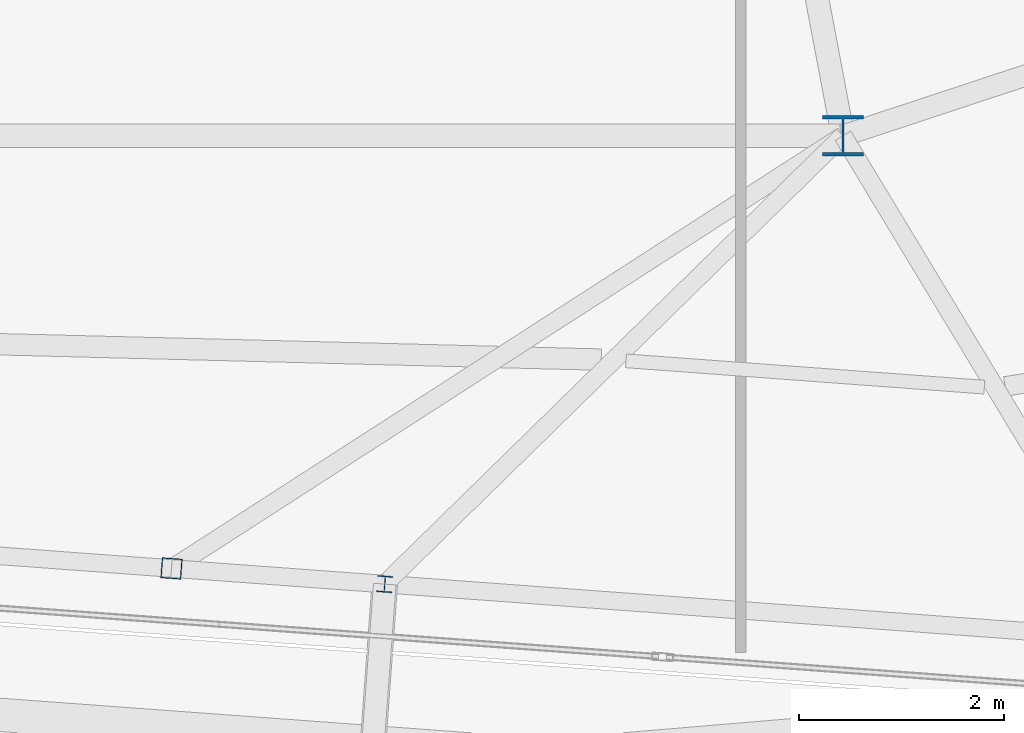
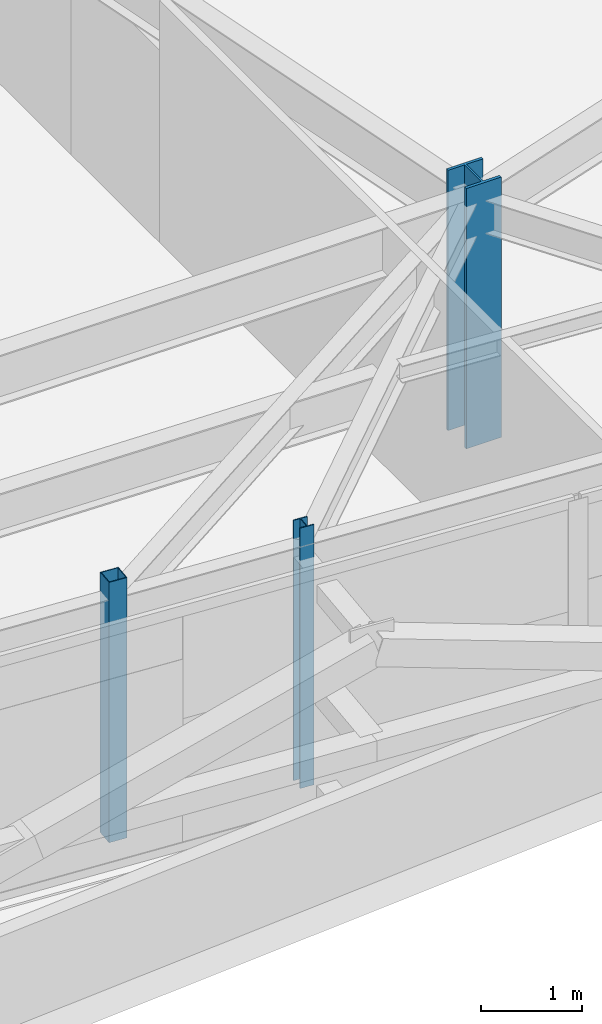
# One storey, part 2 of 37: 3 columns.
"""IFC4 building model written with IfcOpenShell, lengths in metres."""

from ifc_helpers import new_model, si_unit, direction, frame, origin, origin_2d, place, context, subcontext, project, spatial, hollow_rectangle, i_section, extrude, source, transform, mapped, material, material_profile, profile_set, type_object, element, save


model = new_model("IFC4")

# Units and contexts
model_context = context("Model", 3, precision=1e-05, world=origin(), true_north=direction((0.0, 1.0)))
body_context = subcontext(model_context, "Body", "Model", "MODEL_VIEW")
ifc_project = project(units=[si_unit("LENGTHUNIT", "METRE"), si_unit("AREAUNIT", "SQUARE_METRE"), si_unit("VOLUMEUNIT", "CUBIC_METRE"), si_unit("PLANEANGLEUNIT", "RADIAN"), si_unit("MASSUNIT", "GRAM", prefix="KILO")], contexts=[model_context])

# Site, building, storey
site_placement = place(None, origin())
site = spatial("IfcSite", under=ifc_project, at=site_placement, CompositionType="ELEMENT")
building_placement = place(site_placement, origin())
building = spatial("IfcBuilding", under=site, at=building_placement, Name="Taldren Reach Tower", CompositionType="ELEMENT")
storey_placement = place(building_placement, frame((0.0, 0.0, 211.39990234375)))
storey = spatial("IfcBuildingStorey", under=building, at=storey_placement, Name="L64", CompositionType="ELEMENT", Elevation=211.39990234375)

# Columns
ifc_material_1 = material(Name="Steel Gr 350 (350PLUS)", Category="steel")
ifc_material_profile_1 = material_profile(ifc_material_1, i_section(OverallWidth=0.39990234375, OverallDepth=0.39599609375, WebThickness=0.02197265625, FlangeThickness=0.033935546875, at=origin_2d()), Name="400WC270")
ifc_profile_set_1 = profile_set([ifc_material_profile_1], Name="Steel Gr 350 (350PLUS)")
column_type_1 = type_object("IfcColumnType", Name="COL-WC400", PredefinedType="COLUMN", material=ifc_profile_set_1)
shared_shape_1 = source(origin(), body_context, "Body", "SweptSolid", [
    extrude(i_section(OverallWidth=0.39990234375, OverallDepth=0.39599609375, WebThickness=0.02197265625, FlangeThickness=0.033935546875, at=origin_2d()), origin(), (0.0, 0.0, 1.0), 3.150146484375),
])
column_1_placement = place(storey_placement, frame((42.0, 9.199951171875, 0.0), z_axis=(0.0, 0.0, 1.0), x_axis=(1.0, 0.0, 0.0)))
element("IfcColumn", 1, at=column_1_placement, inside=storey, type_object=column_type_1, Name="Mega column MC-PJE L64", PredefinedType="COLUMN", context=body_context, shape_type="MappedRepresentation", body=[
    mapped(shared_shape_1, transform((0.0, 0.0, 0.0), scale=1.0)),
])
ifc_material_2 = material(Name="Steel Gr 350 (C350L0)", Category="steel")
ifc_material_profile_2 = material_profile(ifc_material_2, hollow_rectangle(XDim=0.199951171875, YDim=0.199951171875, WallThickness=0.009033203125, at=origin_2d()), Name="200x200x9.0SHS")
ifc_profile_set_2 = profile_set([ifc_material_profile_2], Name="Steel Gr 350 (C350L0)")
column_type_2 = type_object("IfcColumnType", Name="COL-SHS200", PredefinedType="COLUMN", material=ifc_profile_set_2)
shared_shape_2 = source(origin(), body_context, "Body", "SweptSolid", [
    extrude(hollow_rectangle(XDim=0.199951171875, YDim=0.199951171875, WallThickness=0.009033203125, at=origin_2d()), origin(), (0.0, 0.0, 1.0), 3.150146484375),
])
column_2_placement = place(storey_placement, frame((35.43603515625, 4.9697265625, 0.0), z_axis=(0.0, 0.0, 1.0), x_axis=(0.997314477224, -0.073238197128, 0.0)))
element("IfcColumn", 2, at=column_2_placement, inside=storey, type_object=column_type_2, Name="Block B5 perimeter column PJ2 L64", PredefinedType="COLUMN", context=body_context, shape_type="MappedRepresentation", body=[
    mapped(shared_shape_2, transform((0.0, 0.0, 0.0), scale=1.0)),
])
ifc_material_profile_3 = material_profile(ifc_material_1, i_section(OverallWidth=0.154052734375, OverallDepth=0.162109375, WebThickness=0.008056640625, FlangeThickness=0.011474609375, at=origin_2d()), Name="150UC37.2")
ifc_profile_set_3 = profile_set([ifc_material_profile_3], Name="Steel Gr 350 (350PLUS)")
column_type_3 = type_object("IfcColumnType", Name="COL-UC150", PredefinedType="COLUMN", material=ifc_profile_set_3)
shared_shape_3 = source(origin(), body_context, "Body", "SweptSolid", [
    extrude(i_section(OverallWidth=0.154052734375, OverallDepth=0.162109375, WebThickness=0.008056640625, FlangeThickness=0.011474609375, at=origin_2d()), origin(), (0.0, 0.0, 1.0), 3.150146484375),
])
column_3_placement = place(storey_placement, frame((37.5205078125, 4.81689453125, 0.0), z_axis=(0.0, 0.0, 1.0), x_axis=(0.997314477224, -0.073238197128, 0.0)))
element("IfcColumn", 3, at=column_3_placement, inside=storey, type_object=column_type_3, Name="Block B5 perimeter column S4 L64", PredefinedType="COLUMN", context=body_context, shape_type="MappedRepresentation", body=[
    mapped(shared_shape_3, transform((0.0, 0.0, 0.0), scale=1.0)),
])

save(model, "model.ifc")
